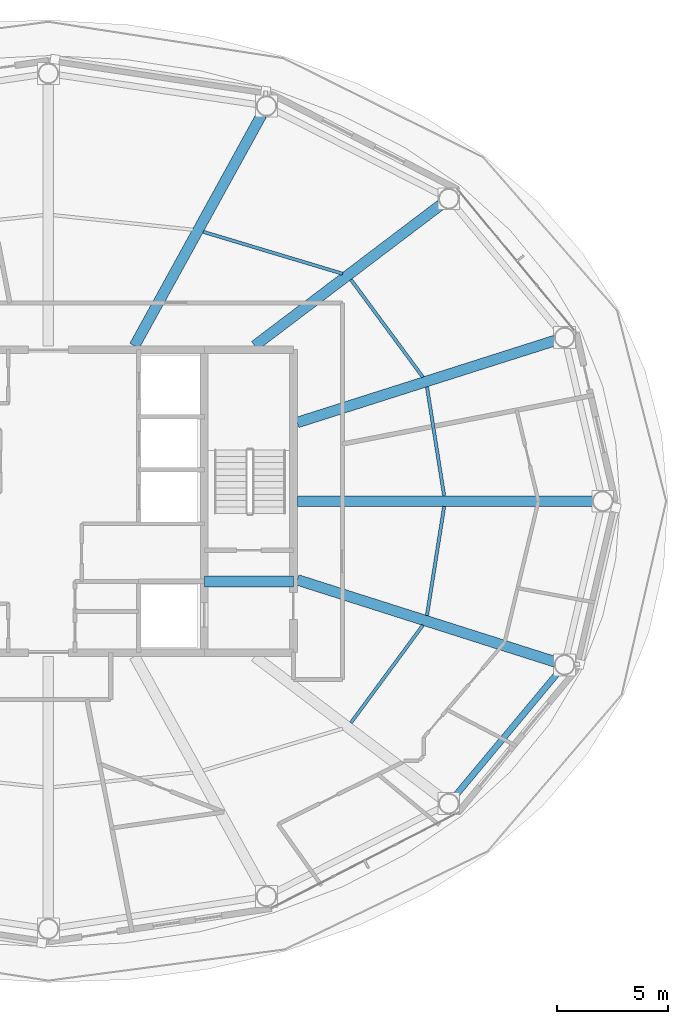
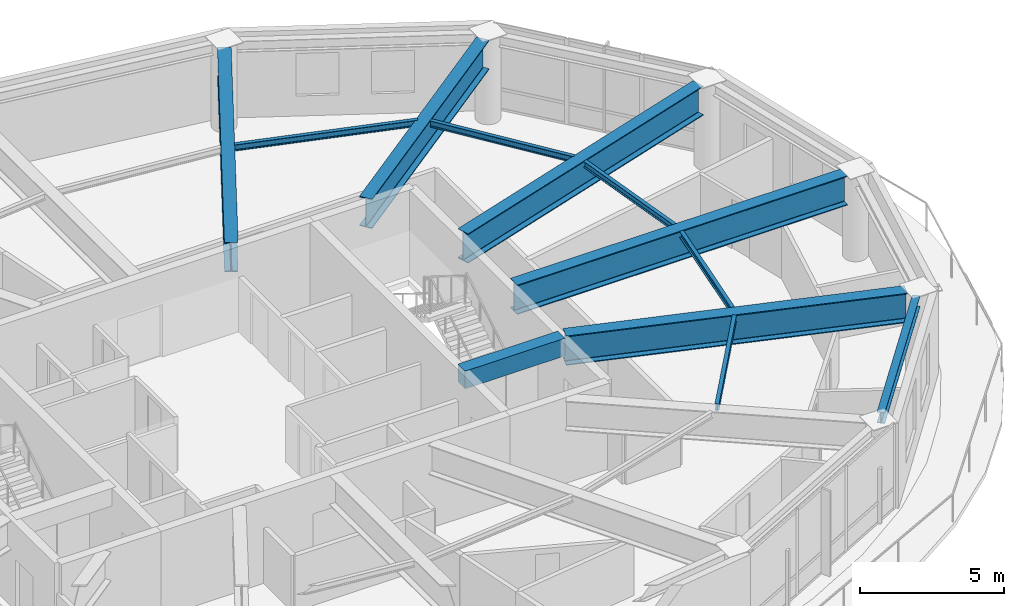
# One storey, part 8 of 24: 12 beams.
"""IFC4 building model written with IfcOpenShell, lengths in metres."""

from ifc_helpers import new_model, si_unit, direction, frame, origin, origin_2d, place, context, subcontext, project, spatial, rectangle, i_section, extrude, material, material_profile, profile_set, type_object, element, save


model = new_model("IFC4")

# Units and contexts
model_context = context("Model", 3, precision=1e-05, world=origin(), true_north=direction((0.0, 1.0)))
body_context = subcontext(model_context, "Body", "Model", "MODEL_VIEW")
ifc_project = project(units=[si_unit("LENGTHUNIT", "METRE"), si_unit("AREAUNIT", "SQUARE_METRE"), si_unit("VOLUMEUNIT", "CUBIC_METRE"), si_unit("PLANEANGLEUNIT", "RADIAN"), si_unit("MASSUNIT", "GRAM", prefix="KILO")], contexts=[model_context])

# Site, building, storey
site_placement = place(None, origin())
site = spatial("IfcSite", under=ifc_project, at=site_placement, CompositionType="ELEMENT")
building_placement = place(site_placement, origin())
building = spatial("IfcBuilding", under=site, at=building_placement, Name="Sarneth Arch Tower", CompositionType="ELEMENT")
storey_placement = place(building_placement, frame((0.0, 0.0, 312.60009765625)))
storey = spatial("IfcBuildingStorey", under=building, at=storey_placement, Name="L81", CompositionType="ELEMENT", Elevation=312.60009765625)

# Beams
ifc_material_1 = material(Name="Steel S355", Category="steel")
ifc_material_profile_1 = material_profile(ifc_material_1, i_section(OverallWidth=0.14794921875, OverallDepth=0.26611328125, WebThickness=0.007568359375, FlangeThickness=0.012939453125, FilletRadius=0.012939453125, at=origin_2d()), Name="W250x44.8")
ifc_profile_set_1 = profile_set([ifc_material_profile_1], Name="Steel S355")
beam_type_1 = type_object("IfcBeamType", Name="BM-JOIST-250", PredefinedType="JOIST", material=ifc_profile_set_1)
beam_1_placement = place(storey_placement, frame((65.766845703125, 42.237060546875, 3.5068359375), z_axis=(-0.15570464416, 0.987803656496, 0.0), x_axis=(-0.987803656496, -0.15570464416, 0.0)))
element("IfcBeam", 1, at=beam_1_placement, inside=storey, type_object=beam_type_1, Name="L81 Secondary floor joist 01", PredefinedType="JOIST", context=body_context, shape_type="SweptSolid", body=[
    extrude(i_section(OverallWidth=0.14794921875, OverallDepth=0.26611328125, WebThickness=0.007568359375, FlangeThickness=0.012939453125, FilletRadius=0.012939453125, at=origin_2d()), origin(), (0.0, 0.0, 1.0), 4.9580078125),
])
beam_2_placement = place(storey_placement, frame((64.81494140625, 47.564697265625, 3.5068359375), z_axis=(-0.593676077311, 0.804704116573, 0.0), x_axis=(-0.804704116573, -0.593676077311, 0.0)))
element("IfcBeam", 2, at=beam_2_placement, inside=storey, type_object=beam_type_1, Name="L81 Secondary floor joist 02", PredefinedType="JOIST", context=body_context, shape_type="SweptSolid", body=[
    extrude(i_section(OverallWidth=0.14794921875, OverallDepth=0.26611328125, WebThickness=0.007568359375, FlangeThickness=0.012939453125, FilletRadius=0.012939453125, at=origin_2d()), origin(), (0.0, 0.0, 1.0), 5.445556640625),
])
beam_3_placement = place(storey_placement, frame((61.209716796875, 52.208984375, 3.5068359375), z_axis=(-0.957656467792, 0.287913337128, 0.0), x_axis=(-0.287913337128, -0.957656467792, 0.0)))
element("IfcBeam", 3, at=beam_3_placement, inside=storey, type_object=beam_type_1, Name="L81 Secondary floor joist 03", PredefinedType="JOIST", context=body_context, shape_type="SweptSolid", body=[
    extrude(i_section(OverallWidth=0.14794921875, OverallDepth=0.26611328125, WebThickness=0.007568359375, FlangeThickness=0.012939453125, FilletRadius=0.012939453125, at=origin_2d()), origin(), (0.0, 0.0, 1.0), 6.53515625),
])
beam_4_placement = place(storey_placement, frame((61.58203125, 32.05322265625, 3.5068359375), z_axis=(0.593676077311, 0.804704116573, 0.0), x_axis=(-0.804704116573, 0.593676077311, 0.0)))
element("IfcBeam", 4, at=beam_4_placement, inside=storey, type_object=beam_type_1, Name="L81 Secondary floor joist 15", PredefinedType="JOIST", context=body_context, shape_type="SweptSolid", body=[
    extrude(i_section(OverallWidth=0.14794921875, OverallDepth=0.26611328125, WebThickness=0.007568359375, FlangeThickness=0.012939453125, FilletRadius=0.012939453125, at=origin_2d()), origin(), (0.0, 0.0, 1.0), 5.445556640625),
])
beam_5_placement = place(storey_placement, frame((64.994873046875, 36.865478515625, 3.5068359375), z_axis=(0.15570464416, 0.987803656496, 0.0), x_axis=(-0.987803656496, 0.15570464416, 0.0)))
element("IfcBeam", 5, at=beam_5_placement, inside=storey, type_object=beam_type_1, Name="L81 Secondary floor joist 16", PredefinedType="JOIST", context=body_context, shape_type="SweptSolid", body=[
    extrude(i_section(OverallWidth=0.14794921875, OverallDepth=0.26611328125, WebThickness=0.007568359375, FlangeThickness=0.012939453125, FilletRadius=0.012939453125, at=origin_2d()), origin(), (0.0, 0.0, 1.0), 4.9580078125),
])
ifc_material_2 = material(Name="Concrete C50/60", Category="concrete")
ifc_material_profile_2 = material_profile(ifc_material_2, rectangle(XDim=0.5, YDim=0.75, at=origin_2d()), Name="RC-500x750")
ifc_profile_set_2 = profile_set([ifc_material_profile_2], Name="Concrete C50/60")
beam_type_2 = type_object("IfcBeamType", Name="BM-LINTEL-RC", PredefinedType="LINTEL", material=ifc_profile_set_2)
beam_6_placement = place(storey_placement, frame((55.0, 38.39990234375, 3.264892578125), z_axis=(1.0, 0.0, 0.0), x_axis=(0.0, 1.0, 0.0)))
element("IfcBeam", 6, at=beam_6_placement, inside=storey, type_object=beam_type_2, Name="L81 Core coupling lintel E", PredefinedType="LINTEL", context=body_context, shape_type="SweptSolid", body=[
    extrude(rectangle(XDim=0.5, YDim=0.75, at=origin_2d()), origin(), (0.0, 0.0, 1.0), 4.0),
])
ifc_material_3 = material(Name="Steel S355", Category="steel")
ifc_material_profile_3 = material_profile(ifc_material_3, i_section(OverallWidth=0.280029296875, OverallDepth=0.462890625, WebThickness=0.0107421875, FlangeThickness=0.017333984375, FilletRadius=0.01806640625, at=origin_2d()), Name="W460x113")
ifc_profile_set_3 = profile_set([ifc_material_profile_3], Name="Steel S355")
beam_type_3 = type_object("IfcBeamType", Name="BM-RAD-460A", PredefinedType="BEAM", material=ifc_profile_set_3)
beam_7_placement = place(storey_placement, frame((66.263427734375, 28.769287109375, 3.408447265625), z_axis=(0.640390876881, 0.768049168222, 0.0), x_axis=(-0.768049168222, 0.640390876881, 0.0)))
element("IfcBeam", 7, at=beam_7_placement, inside=storey, type_object=beam_type_3, Name="L81 Perimeter spandrel beam 15", PredefinedType="BEAM", context=body_context, shape_type="SweptSolid", body=[
    extrude(i_section(OverallWidth=0.280029296875, OverallDepth=0.462890625, WebThickness=0.0107421875, FlangeThickness=0.017333984375, FilletRadius=0.01806640625, at=origin_2d()), origin(), (0.0, 0.0, 1.0), 7.2099609375),
])
ifc_material_4 = material(Name="Steel S355", Category="steel")
ifc_material_profile_4 = material_profile(ifc_material_4, i_section(OverallWidth=0.47998046875, OverallDepth=1.25, WebThickness=0.02001953125, FlangeThickness=0.0380859375, FilletRadius=0.02197265625, at=origin_2d()), Name="CVS1250x520")
ifc_profile_set_4 = profile_set([ifc_material_profile_4], Name="Steel S355")
beam_type_4 = type_object("IfcBeamType", Name="BM-XFER-1250", PredefinedType="BEAM", material=ifc_profile_set_4)
beam_8_placement = place(storey_placement, frame((59.175048828125, 42.0, 3.014892578125), z_axis=(1.0, 0.0, 0.0), x_axis=(0.0, 1.0, 0.0)))
element("IfcBeam", 8, at=beam_8_placement, inside=storey, type_object=beam_type_4, Name="L81 Step-taper transfer girder 01", PredefinedType="BEAM", context=body_context, shape_type="SweptSolid", body=[
    extrude(i_section(OverallWidth=0.47998046875, OverallDepth=1.25, WebThickness=0.02001953125, FlangeThickness=0.0380859375, FilletRadius=0.02197265625, at=origin_2d()), origin(), (0.0, 0.0, 1.0), 13.258056640625),
])
beam_9_placement = place(storey_placement, frame((59.175048828125, 45.53173828125, 3.014892578125), z_axis=(0.95293317728, 0.303180407743, 0.0), x_axis=(-0.303180407743, 0.95293317728, 0.0)))
element("IfcBeam", 9, at=beam_9_placement, inside=storey, type_object=beam_type_4, Name="L81 Step-taper transfer girder 02", PredefinedType="BEAM", context=body_context, shape_type="SweptSolid", body=[
    extrude(i_section(OverallWidth=0.47998046875, OverallDepth=1.25, WebThickness=0.02001953125, FlangeThickness=0.0380859375, FilletRadius=0.02197265625, at=origin_2d()), origin(), (0.0, 0.0, 1.0), 12.13623046875),
])
beam_10_placement = place(storey_placement, frame((57.262451171875, 48.97509765625, 3.014892578125), z_axis=(0.797055453375, 0.603906122047, 0.0), x_axis=(-0.603906122047, 0.797055453375, 0.0)))
element("IfcBeam", 10, at=beam_10_placement, inside=storey, type_object=beam_type_4, Name="L81 Step-taper transfer girder 03", PredefinedType="BEAM", context=body_context, shape_type="SweptSolid", body=[
    extrude(i_section(OverallWidth=0.47998046875, OverallDepth=1.25, WebThickness=0.02001953125, FlangeThickness=0.0380859375, FilletRadius=0.02197265625, at=origin_2d()), origin(), (0.0, 0.0, 1.0), 10.481201171875),
])
beam_11_placement = place(storey_placement, frame((51.86865234375, 48.97509765625, 3.014892578125), z_axis=(0.482067616506, 0.8761340155, 0.0), x_axis=(-0.8761340155, 0.482067616506, 0.0)))
element("IfcBeam", 11, at=beam_11_placement, inside=storey, type_object=beam_type_4, Name="L81 Step-taper transfer girder 04", PredefinedType="BEAM", context=body_context, shape_type="SweptSolid", body=[
    extrude(i_section(OverallWidth=0.47998046875, OverallDepth=1.25, WebThickness=0.02001953125, FlangeThickness=0.0380859375, FilletRadius=0.02197265625, at=origin_2d()), origin(), (0.0, 0.0, 1.0), 11.835205078125),
])
beam_12_placement = place(storey_placement, frame((59.175048828125, 38.46826171875, 3.014892578125), z_axis=(0.95293317728, -0.303180407743, 0.0), x_axis=(0.303180407743, 0.95293317728, 0.0)))
element("IfcBeam", 12, at=beam_12_placement, inside=storey, type_object=beam_type_4, Name="L81 Step-taper transfer girder 16", PredefinedType="BEAM", context=body_context, shape_type="SweptSolid", body=[
    extrude(i_section(OverallWidth=0.47998046875, OverallDepth=1.25, WebThickness=0.02001953125, FlangeThickness=0.0380859375, FilletRadius=0.02197265625, at=origin_2d()), origin(), (0.0, 0.0, 1.0), 12.13623046875),
])

save(model, "model.ifc")
